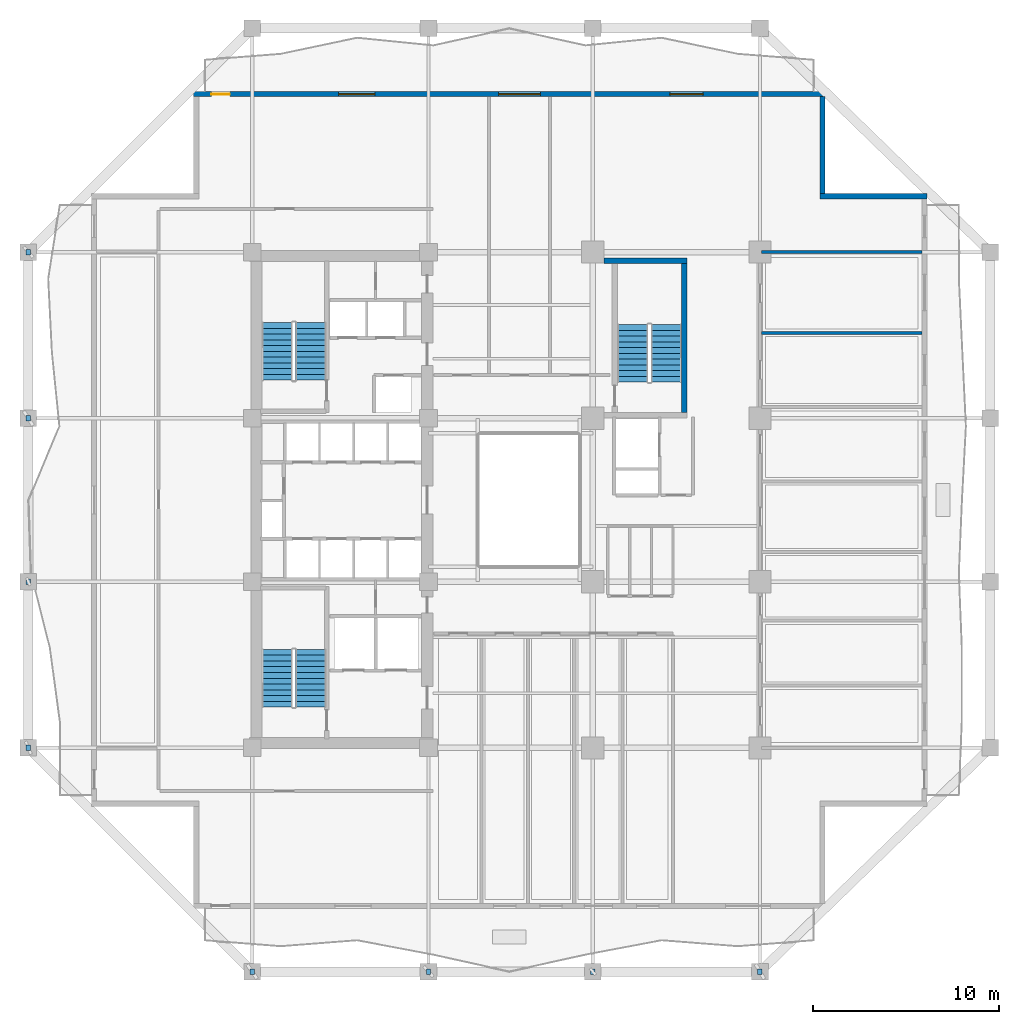
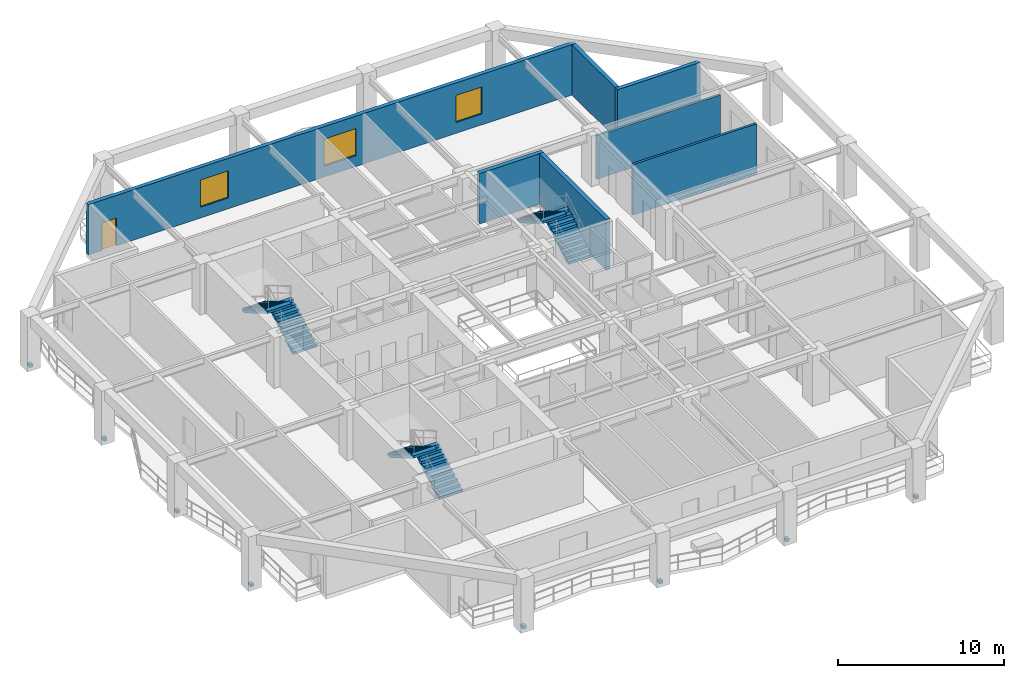
# One storey, part 6 of 13: 8 discrete accessories, 7 walls, 6 stair flights, 3 windows, 1 door, 4 openings, 3 elements without a shape of their own.
"""IFC4 building model written with IfcOpenShell, lengths in metres."""

from ifc_helpers import new_model, si_unit, direction, frame, frame_2d, origin, origin_2d, place, context, subcontext, project, spatial, polyline, rectangle, outline, extrude, material, layer, layer_set, type_object, element, fill, aggregate, save


model = new_model("IFC4")

# Units and contexts
model_context = context("Model", 3, precision=1e-05, world=origin(), true_north=direction((0.0, 1.0)))
body_context = subcontext(model_context, "Body", "Model", "MODEL_VIEW")
ifc_project = project(units=[si_unit("LENGTHUNIT", "METRE"), si_unit("AREAUNIT", "SQUARE_METRE"), si_unit("VOLUMEUNIT", "CUBIC_METRE"), si_unit("PLANEANGLEUNIT", "RADIAN"), si_unit("MASSUNIT", "GRAM", prefix="KILO")], contexts=[model_context])

# Site, building, storey
site_placement = place(None, origin())
site = spatial("IfcSite", under=ifc_project, at=site_placement, CompositionType="ELEMENT")
building_placement = place(site_placement, origin())
building = spatial("IfcBuilding", under=site, at=building_placement, Name="Kundavana Baori Tower", CompositionType="ELEMENT")
storey_placement = place(building_placement, frame((0.0, 0.0, 70.0)))
storey = spatial("IfcBuildingStorey", under=building, at=storey_placement, Name="L16", CompositionType="ELEMENT", Elevation=70.0)

# Walls
ifc_material_1 = material(Name="Red-Buff Dholpur Sandstone Cladding on Concrete C40/50", Category="masonry")
ifc_layer_1 = layer(ifc_material_1, 0.280029296875, Name="WL-EXT-SAND-280")
ifc_layer_set_1 = layer_set([ifc_layer_1], Name="Red-Buff Dholpur Sandstone Cladding on Concrete C40/50")
wall_type_1 = type_object("IfcWallType", Name="WL-EXT-SAND-280", PredefinedType="STANDARD", material=ifc_layer_set_1)
wall_1_placement = place(storey_placement, frame((51.800048828125, 44.9599609375, 0.0), z_axis=(0.0, 0.0, 1.0), x_axis=(-1.0, 0.0, 0.0)))
element("IfcWall", 1, at=wall_1_placement, inside=storey, type_object=wall_type_1, Name="L16 Exterior Insulated Facade Wall 05", PredefinedType="STANDARD", context=body_context, shape_type="SweptSolid", body=[
    extrude(rectangle(XDim=5.780029296875, YDim=0.280029296875, at=frame_2d((2.89013671875, 0.0))), origin(), (0.0, 0.0, 1.0), 3.719970703125),
])
wall_2_placement = place(storey_placement, frame((46.159912109375, 45.10009765625, 0.0), z_axis=(0.0, 0.0, 1.0), x_axis=(0.0, 1.0, 0.0)))
element("IfcWall", 2, at=wall_2_placement, inside=storey, type_object=wall_type_1, Name="L16 Exterior Insulated Facade Wall 06", PredefinedType="STANDARD", context=body_context, shape_type="SweptSolid", body=[
    extrude(rectangle(XDim=5.219970703125, YDim=0.280029296875, at=frame_2d((2.60986328125, 0.0))), origin(), (0.0, 0.0, 1.0), 3.719970703125),
])

# Wall, openings, door, windows
wall_3_placement = place(storey_placement, frame((46.300048828125, 50.4599609375, 0.0), z_axis=(0.0, 0.0, 1.0), x_axis=(-1.0, 0.0, 0.0)))
wall_3 = element("IfcWall", 3, at=wall_3_placement, inside=storey, type_object=wall_type_1, Name="L16 Exterior Insulated Facade Wall 07", PredefinedType="STANDARD", context=body_context, shape_type="SweptSolid", body=[
    extrude(rectangle(XDim=34.0, YDim=0.280029296875, at=frame_2d((17.0, 0.0))), origin(), (0.0, 0.0, 1.0), 3.719970703125),
])
opening_1_placement = place(wall_3_placement, frame((32.050048828125, 0.0, 0.0)))
opening_1 = element("IfcOpeningElement", 4, at=opening_1_placement, cuts=wall_3, Name="Opening BD-1", PredefinedType="OPENING", context=body_context, shape_type="SweptSolid", body=[
    extrude(rectangle(XDim=1.0, YDim=2.050048828125, at=frame_2d((0.5, 1.02490234375))), frame((0.0, 0.14990234375, 0.0), z_axis=(0.0, -1.0, 0.0), x_axis=(1.0, 0.0, 0.0)), (0.0, 0.0, 1.0), 0.300048828125),
])
opening_2_placement = place(wall_3_placement, frame((24.2451171875, 0.0, 0.800048828125)))
opening_2 = element("IfcOpeningElement", 5, at=opening_2_placement, cuts=wall_3, Name="Opening W-09", PredefinedType="OPENING", context=body_context, shape_type="SweptSolid", body=[
    extrude(rectangle(XDim=1.949951171875, YDim=2.0, at=frame_2d((0.97509765625, 1.0))), frame((0.0, 0.14990234375, 0.0), z_axis=(0.0, -1.0, 0.0), x_axis=(1.0, 0.0, 0.0)), (0.0, 0.0, 1.0), 0.300048828125),
])
opening_3_placement = place(wall_3_placement, frame((15.324951171875, 0.0, 0.800048828125)))
opening_3 = element("IfcOpeningElement", 6, at=opening_3_placement, cuts=wall_3, Name="Opening W-10", PredefinedType="OPENING", context=body_context, shape_type="SweptSolid", body=[
    extrude(rectangle(XDim=2.25, YDim=2.0, at=frame_2d((1.125, 1.0))), frame((0.0, 0.14990234375, 0.0), z_axis=(0.0, -1.0, 0.0), x_axis=(1.0, 0.0, 0.0)), (0.0, 0.0, 1.0), 0.300048828125),
])
opening_4_placement = place(wall_3_placement, frame((6.554931640625, 0.0, 0.800048828125)))
opening_4 = element("IfcOpeningElement", 7, at=opening_4_placement, cuts=wall_3, Name="Opening W-01", PredefinedType="OPENING", context=body_context, shape_type="SweptSolid", body=[
    extrude(rectangle(XDim=1.800048828125, YDim=2.0, at=frame_2d((0.89990234375, 1.0))), frame((0.0, 0.14990234375, 0.0), z_axis=(0.0, -1.0, 0.0), x_axis=(1.0, 0.0, 0.0)), (0.0, 0.0, 1.0), 0.300048828125),
])
ifc_material_2 = material(Name="Architectural Patinated Bronze Metalwork")
door_type = type_object("IfcDoorType", Name="DR-EXT-LOG-1000", OperationType="NOTDEFINED", PredefinedType="DOOR", material=ifc_material_2)
door_placement = place(opening_1_placement, frame((1.0, 0.0, 0.0), z_axis=(0.0, 0.0, 1.0), x_axis=(-1.0, 0.0, 0.0)))
door = element("IfcDoor", 8, at=door_placement, inside=storey, type_object=door_type, Name="L16 Loggia Balcony Access Door N", OperationType="SINGLE_SWING_LEFT", OverallHeight=2.050048828125, OverallWidth=1.0, PredefinedType="DOOR", context=body_context, shape_type="SweptSolid", body=[
    extrude(rectangle(XDim=1.0, YDim=2.050048828125, at=frame_2d((0.5, 1.02490234375))), frame((0.0, 0.02490234375, 0.0), z_axis=(0.0, -1.0, 0.0), x_axis=(1.0, 0.0, 0.0)), (0.0, 0.0, 1.0), 0.050048828125),
])
fill(opening_1, door)
ifc_material_3 = material(Name="Double-Glazed Solar-Control Low-E Insulated Glass", Category="glass")
window_type_1 = type_object("IfcWindowType", Name="WIN-LOG-1800x2000", PartitioningType="SINGLE_PANEL", PredefinedType="WINDOW", material=ifc_material_3)
window_1_placement = place(opening_4_placement, origin())
window_1 = element("IfcWindow", 9, at=window_1_placement, inside=storey, type_object=window_type_1, Name="L16 Recessed Loggia Window N-3", OverallHeight=2.0, OverallWidth=1.800048828125, PartitioningType="SINGLE_PANEL", PredefinedType="WINDOW", context=body_context, shape_type="SweptSolid", body=[
    extrude(rectangle(XDim=1.800048828125, YDim=2.0, at=frame_2d((0.89990234375, 1.0))), frame((0.0, 0.030029296875, 0.0), z_axis=(0.0, -1.0, 0.0), x_axis=(1.0, 0.0, 0.0)), (0.0, 0.0, 1.0), 0.06005859375),
])
fill(opening_4, window_1)
ifc_material_4 = material(Name="Double-Glazed Solar-Control Low-E Insulated Glass", Category="glass")
window_type_2 = type_object("IfcWindowType", Name="WIN-LOG-1950x2000", PartitioningType="SINGLE_PANEL", PredefinedType="WINDOW", material=ifc_material_4)
window_2_placement = place(opening_2_placement, origin())
window_2 = element("IfcWindow", 10, at=window_2_placement, inside=storey, type_object=window_type_2, Name="L16 Recessed Loggia Window N-1", OverallHeight=2.0, OverallWidth=1.949951171875, PartitioningType="SINGLE_PANEL", PredefinedType="WINDOW", context=body_context, shape_type="SweptSolid", body=[
    extrude(rectangle(XDim=1.949951171875, YDim=2.0, at=frame_2d((0.97509765625, 1.0))), frame((0.0, 0.030029296875, 0.0), z_axis=(0.0, -1.0, 0.0), x_axis=(1.0, 0.0, 0.0)), (0.0, 0.0, 1.0), 0.06005859375),
])
fill(opening_2, window_2)
ifc_material_5 = material(Name="Double-Glazed Solar-Control Low-E Insulated Glass", Category="glass")
window_type_3 = type_object("IfcWindowType", Name="WIN-LOG-2250x2000", PartitioningType="SINGLE_PANEL", PredefinedType="WINDOW", material=ifc_material_5)
window_3_placement = place(opening_3_placement, origin())
window_3 = element("IfcWindow", 11, at=window_3_placement, inside=storey, type_object=window_type_3, Name="L16 Recessed Loggia Window N-2", OverallHeight=2.0, OverallWidth=2.25, PartitioningType="SINGLE_PANEL", PredefinedType="WINDOW", context=body_context, shape_type="SweptSolid", body=[
    extrude(rectangle(XDim=2.25, YDim=2.0, at=frame_2d((1.125, 1.0))), frame((0.0, 0.030029296875, 0.0), z_axis=(0.0, -1.0, 0.0), x_axis=(1.0, 0.0, 0.0)), (0.0, 0.0, 1.0), 0.06005859375),
])
fill(opening_3, window_3)

# Walls
ifc_material_6 = material(Name="Fire-Rated Gypsum Drywall on Galvanised Steel Studs", Category="steel")
ifc_layer_2 = layer(ifc_material_6, 0.1650390625, Name="WL-PART-165")
ifc_layer_set_2 = layer_set([ifc_layer_2], Name="Fire-Rated Gypsum Drywall on Galvanised Steel Studs")
wall_type_2 = type_object("IfcWallType", Name="WL-PART-165", PredefinedType="PARTITIONING", material=ifc_layer_set_2)
wall_4_placement = place(storey_placement, frame((42.8798828125, 41.949951171875, 0.0), z_axis=(0.0, 0.0, 1.0), x_axis=(1.0, 0.0, 0.0)))
element("IfcWall", 12, at=wall_4_placement, inside=storey, type_object=wall_type_2, Name="WL-L16-OFEN", PredefinedType="PARTITIONING", context=body_context, shape_type="SweptSolid", body=[
    extrude(rectangle(XDim=8.64013671875, YDim=0.1650390625, at=frame_2d((4.320068359375, 0.0))), origin(), (0.0, 0.0, 1.0), 3.219970703125),
])
wall_5_placement = place(storey_placement, frame((42.8798828125, 37.60009765625, 0.0), z_axis=(0.0, 0.0, 1.0), x_axis=(1.0, 0.0, 0.0)))
element("IfcWall", 13, at=wall_5_placement, inside=storey, type_object=wall_type_2, Name="WL-L16-ED6", PredefinedType="PARTITIONING", context=body_context, shape_type="SweptSolid", body=[
    extrude(rectangle(XDim=8.64013671875, YDim=0.1650390625, at=frame_2d((4.320068359375, 0.0))), origin(), (0.0, 0.0, 1.0), 3.719970703125),
])
ifc_material_7 = material(Name="Concrete C50/60", Category="concrete")
ifc_layer_3 = layer(ifc_material_7, 0.300048828125, Name="WL-ST3-300")
ifc_layer_set_3 = layer_set([ifc_layer_3], Name="Concrete C50/60")
wall_type_3 = type_object("IfcWallType", Name="WL-ST3-300", PredefinedType="SHEAR", material=ifc_layer_set_3)
wall_6_placement = place(storey_placement, frame((34.39990234375, 41.489990234375, 0.0), z_axis=(0.0, 0.0, 1.0), x_axis=(1.0, 0.0, 0.0)))
element("IfcWall", 14, at=wall_6_placement, inside=storey, type_object=wall_type_3, Name="L16 Stair ST3 North Shear Wall", PredefinedType="SHEAR", context=body_context, shape_type="SweptSolid", body=[
    extrude(rectangle(XDim=4.47021484375, YDim=0.300048828125, at=frame_2d((2.235107421875, 0.0))), origin(), (0.0, 0.0, 1.0), 3.719970703125),
])
wall_7_placement = place(storey_placement, frame((38.719970703125, 33.31005859375, 0.0), z_axis=(0.0, 0.0, 1.0), x_axis=(0.0, 1.0, 0.0)))
element("IfcWall", 15, at=wall_7_placement, inside=storey, type_object=wall_type_3, Name="L16 Stair ST3 East Shear Wall", PredefinedType="SHEAR", context=body_context, shape_type="SweptSolid", body=[
    extrude(rectangle(XDim=8.030029296875, YDim=0.300048828125, at=frame_2d((4.01513671875, 0.0))), origin(), (0.0, 0.0, 1.0), 3.719970703125),
])

# Stair, stair flights
ifc_material_8 = material(Name="Concrete C40/50", Category="concrete")
stair_type = type_object("IfcStairType", Name="STR-DOG-1650", PredefinedType="HALF_TURN_STAIR", material=ifc_material_8)
stair_1_placement = place(storey_placement, origin())
stair_1 = element("IfcStair", 16, at=stair_1_placement, inside=storey, type_object=stair_type, Name="L16 Protected Exit Stair ST1", PredefinedType="HALF_TURN_STAIR")
ifc_material_9 = material(Name="Concrete C40/50", Category="concrete")
stair_flight_type = type_object("IfcStairFlightType", Name="SFL-RC-1650", PredefinedType="STRAIGHT", material=ifc_material_9)
stair_flight_1_placement = place(storey_placement, frame((18.614990234375, 17.449951171875, 0.0), z_axis=(0.0, 0.0, 1.0), x_axis=(0.0, 1.0, 0.0)))
stair_flight_1 = element("IfcStairFlight", 17, at=stair_flight_1_placement, type_object=stair_flight_type, Name="ST1 flight 1", NumberOfRisers=11, NumberOfTreads=10, PredefinedType="STRAIGHT", RiserHeight=0.181818182, TreadLength=0.31, context=body_context, shape_type="SweptSolid", body=[
    extrude(outline(polyline([(0.0, 0.0), (0.0, 0.181884765625), (0.31005859375, 0.181884765625), (0.31005859375, 0.363525390625), (0.6201171875, 0.363525390625), (0.6201171875, 0.54541015625), (0.929931640625, 0.54541015625), (0.929931640625, 0.727294921875), (1.239990234375, 0.727294921875), (1.239990234375, 0.9091796875), (1.550048828125, 0.9091796875), (1.550048828125, 1.0908203125), (1.860107421875, 1.0908203125), (1.860107421875, 1.272705078125), (2.169921875, 1.272705078125), (2.169921875, 1.45458984375), (2.47998046875, 1.45458984375), (2.47998046875, 1.636474609375), (2.7900390625, 1.636474609375), (2.7900390625, 1.818115234375), (3.10009765625, 1.818115234375), (3.10009765625, 2.0), (3.10009765625, 1.644287109375), (0.29638671875, 0.0), (0.0, 0.0)])), frame((0.0, 0.824951171875, 0.0), z_axis=(0.0, -1.0, 0.0), x_axis=(1.0, 0.0, 0.0)), (0.0, 0.0, 1.0), 1.64990234375),
])
stair_flight_2_placement = place(storey_placement, frame((16.804931640625, 20.550048828125, 2.0), z_axis=(0.0, 0.0, 1.0), x_axis=(0.0, -1.0, 0.0)))
stair_flight_2 = element("IfcStairFlight", 18, at=stair_flight_2_placement, type_object=stair_flight_type, Name="ST1 flight 2", NumberOfRisers=11, NumberOfTreads=10, PredefinedType="STRAIGHT", RiserHeight=0.181818182, TreadLength=0.31, context=body_context, shape_type="SweptSolid", body=[
    extrude(outline(polyline([(0.0, 0.0), (0.0, 0.181884765625), (0.31005859375, 0.181884765625), (0.31005859375, 0.363525390625), (0.6201171875, 0.363525390625), (0.6201171875, 0.54541015625), (0.929931640625, 0.54541015625), (0.929931640625, 0.727294921875), (1.239990234375, 0.727294921875), (1.239990234375, 0.9091796875), (1.550048828125, 0.9091796875), (1.550048828125, 1.0908203125), (1.860107421875, 1.0908203125), (1.860107421875, 1.272705078125), (2.169921875, 1.272705078125), (2.169921875, 1.45458984375), (2.47998046875, 1.45458984375), (2.47998046875, 1.636474609375), (2.7900390625, 1.636474609375), (2.7900390625, 1.818115234375), (3.10009765625, 1.818115234375), (3.10009765625, 2.0), (3.10009765625, 1.644287109375), (0.29638671875, 0.0), (0.0, 0.0)])), frame((0.0, 0.824951171875, 0.0), z_axis=(0.0, -1.0, 0.0), x_axis=(1.0, 0.0, 0.0)), (0.0, 0.0, 1.0), 1.64990234375),
])
aggregate(stair_1, [stair_flight_1, stair_flight_2])

stair_2_placement = place(storey_placement, origin())
stair_2 = element("IfcStair", 19, at=stair_2_placement, inside=storey, type_object=stair_type, Name="L16 Protected Exit Stair ST2", PredefinedType="HALF_TURN_STAIR")
stair_flight_3_placement = place(storey_placement, frame((18.614990234375, 35.050048828125, 0.0), z_axis=(0.0, 0.0, 1.0), x_axis=(0.0, 1.0, 0.0)))
stair_flight_3 = element("IfcStairFlight", 20, at=stair_flight_3_placement, type_object=stair_flight_type, Name="ST2 flight 1", NumberOfRisers=11, NumberOfTreads=10, PredefinedType="STRAIGHT", RiserHeight=0.181818182, TreadLength=0.31, context=body_context, shape_type="SweptSolid", body=[
    extrude(outline(polyline([(0.0, 0.0), (0.0, 0.181884765625), (0.31005859375, 0.181884765625), (0.31005859375, 0.363525390625), (0.6201171875, 0.363525390625), (0.6201171875, 0.54541015625), (0.929931640625, 0.54541015625), (0.929931640625, 0.727294921875), (1.239990234375, 0.727294921875), (1.239990234375, 0.9091796875), (1.550048828125, 0.9091796875), (1.550048828125, 1.0908203125), (1.860107421875, 1.0908203125), (1.860107421875, 1.272705078125), (2.169921875, 1.272705078125), (2.169921875, 1.45458984375), (2.47998046875, 1.45458984375), (2.47998046875, 1.636474609375), (2.7900390625, 1.636474609375), (2.7900390625, 1.818115234375), (3.10009765625, 1.818115234375), (3.10009765625, 2.0), (3.10009765625, 1.644287109375), (0.29638671875, 0.0), (0.0, 0.0)])), frame((0.0, 0.824951171875, 0.0), z_axis=(0.0, -1.0, 0.0), x_axis=(1.0, 0.0, 0.0)), (0.0, 0.0, 1.0), 1.64990234375),
])
stair_flight_4_placement = place(storey_placement, frame((16.804931640625, 38.14990234375, 2.0), z_axis=(0.0, 0.0, 1.0), x_axis=(0.0, -1.0, 0.0)))
stair_flight_4 = element("IfcStairFlight", 21, at=stair_flight_4_placement, type_object=stair_flight_type, Name="ST2 flight 2", NumberOfRisers=11, NumberOfTreads=10, PredefinedType="STRAIGHT", RiserHeight=0.181818182, TreadLength=0.31, context=body_context, shape_type="SweptSolid", body=[
    extrude(outline(polyline([(0.0, 0.0), (0.0, 0.181884765625), (0.31005859375, 0.181884765625), (0.31005859375, 0.363525390625), (0.6201171875, 0.363525390625), (0.6201171875, 0.54541015625), (0.929931640625, 0.54541015625), (0.929931640625, 0.727294921875), (1.239990234375, 0.727294921875), (1.239990234375, 0.9091796875), (1.550048828125, 0.9091796875), (1.550048828125, 1.0908203125), (1.860107421875, 1.0908203125), (1.860107421875, 1.272705078125), (2.169921875, 1.272705078125), (2.169921875, 1.45458984375), (2.47998046875, 1.45458984375), (2.47998046875, 1.636474609375), (2.7900390625, 1.636474609375), (2.7900390625, 1.818115234375), (3.10009765625, 1.818115234375), (3.10009765625, 2.0), (3.10009765625, 1.644287109375), (0.29638671875, 0.0), (0.0, 0.0)])), frame((0.0, 0.824951171875, 0.0), z_axis=(0.0, -1.0, 0.0), x_axis=(1.0, 0.0, 0.0)), (0.0, 0.0, 1.0), 1.64990234375),
])
aggregate(stair_2, [stair_flight_3, stair_flight_4])

stair_3_placement = place(storey_placement, origin())
stair_3 = element("IfcStair", 22, at=stair_3_placement, inside=storey, type_object=stair_type, Name="L16 Protected Exit Stair ST3", PredefinedType="HALF_TURN_STAIR")
stair_flight_5_placement = place(storey_placement, frame((37.7548828125, 34.949951171875, 0.0), z_axis=(0.0, 0.0, 1.0), x_axis=(0.0, 1.0, 0.0)))
stair_flight_5 = element("IfcStairFlight", 23, at=stair_flight_5_placement, type_object=stair_flight_type, Name="ST3 flight 1", NumberOfRisers=11, NumberOfTreads=10, PredefinedType="STRAIGHT", RiserHeight=0.181818182, TreadLength=0.31, context=body_context, shape_type="SweptSolid", body=[
    extrude(outline(polyline([(0.0, 0.0), (0.0, 0.181884765625), (0.31005859375, 0.181884765625), (0.31005859375, 0.363525390625), (0.6201171875, 0.363525390625), (0.6201171875, 0.54541015625), (0.929931640625, 0.54541015625), (0.929931640625, 0.727294921875), (1.239990234375, 0.727294921875), (1.239990234375, 0.9091796875), (1.550048828125, 0.9091796875), (1.550048828125, 1.0908203125), (1.860107421875, 1.0908203125), (1.860107421875, 1.272705078125), (2.169921875, 1.272705078125), (2.169921875, 1.45458984375), (2.47998046875, 1.45458984375), (2.47998046875, 1.636474609375), (2.7900390625, 1.636474609375), (2.7900390625, 1.818115234375), (3.10009765625, 1.818115234375), (3.10009765625, 2.0), (3.10009765625, 1.644287109375), (0.29638671875, 0.0), (0.0, 0.0)])), frame((0.0, 0.824951171875, 0.0), z_axis=(0.0, -1.0, 0.0), x_axis=(1.0, 0.0, 0.0)), (0.0, 0.0, 1.0), 1.64990234375),
])
stair_flight_6_placement = place(storey_placement, frame((35.945068359375, 38.050048828125, 2.0), z_axis=(0.0, 0.0, 1.0), x_axis=(0.0, -1.0, 0.0)))
stair_flight_6 = element("IfcStairFlight", 24, at=stair_flight_6_placement, type_object=stair_flight_type, Name="ST3 flight 2", NumberOfRisers=11, NumberOfTreads=10, PredefinedType="STRAIGHT", RiserHeight=0.181818182, TreadLength=0.31, context=body_context, shape_type="SweptSolid", body=[
    extrude(outline(polyline([(0.0, 0.0), (0.0, 0.181884765625), (0.31005859375, 0.181884765625), (0.31005859375, 0.363525390625), (0.6201171875, 0.363525390625), (0.6201171875, 0.54541015625), (0.929931640625, 0.54541015625), (0.929931640625, 0.727294921875), (1.239990234375, 0.727294921875), (1.239990234375, 0.9091796875), (1.550048828125, 0.9091796875), (1.550048828125, 1.0908203125), (1.860107421875, 1.0908203125), (1.860107421875, 1.272705078125), (2.169921875, 1.272705078125), (2.169921875, 1.45458984375), (2.47998046875, 1.45458984375), (2.47998046875, 1.636474609375), (2.7900390625, 1.636474609375), (2.7900390625, 1.818115234375), (3.10009765625, 1.818115234375), (3.10009765625, 2.0), (3.10009765625, 1.644287109375), (0.29638671875, 0.0), (0.0, 0.0)])), frame((0.0, 0.824951171875, 0.0), z_axis=(0.0, -1.0, 0.0), x_axis=(1.0, 0.0, 0.0)), (0.0, 0.0, 1.0), 1.64990234375),
])
aggregate(stair_3, [stair_flight_5, stair_flight_6])

# Discrete accessories
ifc_material_10 = material(Name="Structural Steel S355JR", Category="steel")
discrete_accessory_type = type_object("IfcDiscreteAccessoryType", Name="ACC-BRK-FIN", PredefinedType="BRACKET", material=ifc_material_10)
for number, where, z_axis, x_axis, name in (
    (25, (15.449951171875, 3.199951171875, 0.0), (0.0, 0.0, 1.0), (1.0, 0.0, 0.0), "L16 Stainless Fin Anchor Bracket 1"),
    (26, (24.949951171875, 3.199951171875, 0.0), (0.0, 0.0, 1.0), (1.0, 0.0, 0.0), "L16 Stainless Fin Anchor Bracket 2"),
    (27, (33.800048828125, 3.199951171875, 0.0), (0.0, 0.0, 1.0), (1.0, 0.0, 0.0), "L16 Stainless Fin Anchor Bracket 3"),
    (28, (42.800048828125, 3.199951171875, 0.0), (0.0, 0.0, 1.0), (1.0, 0.0, 0.0), "L16 Stainless Fin Anchor Bracket 4"),
    (29, (3.39990234375, 15.25, 0.0), (0.0, 0.0, 1.0), (1.0, 0.0, 0.0), "L16 Stainless Fin Anchor Bracket 5"),
    (30, (3.39990234375, 24.199951171875, 0.0), (0.0, 0.0, 1.0), (1.0, 0.0, 0.0), "L16 Stainless Fin Anchor Bracket 6"),
    (31, (3.39990234375, 33.0, 0.0), (0.0, 0.0, 1.0), (1.0, 0.0, 0.0), "L16 Stainless Fin Anchor Bracket 7"),
    (32, (3.39990234375, 41.949951171875, 0.0), (0.0, 0.0, 1.0), (1.0, 0.0, 0.0), "L16 Stainless Fin Anchor Bracket 8"),
):
    element("IfcDiscreteAccessory", number, at=place(storey_placement, frame(where, z_axis=z_axis, x_axis=x_axis)), inside=storey, type_object=discrete_accessory_type, Name=name, PredefinedType="BRACKET", context=body_context, shape_type="SweptSolid", body=[
        extrude(rectangle(XDim=0.239990234375, YDim=0.300048828125, at=origin_2d()), origin(), (0.0, 0.0, 1.0), 0.219970703125),
    ])

save(model, "model.ifc")
